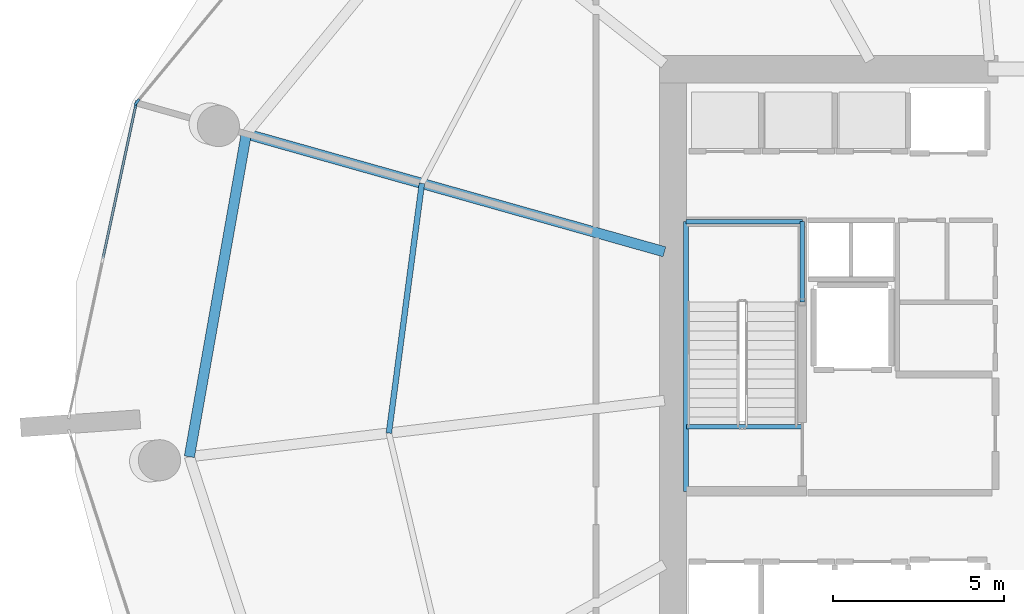
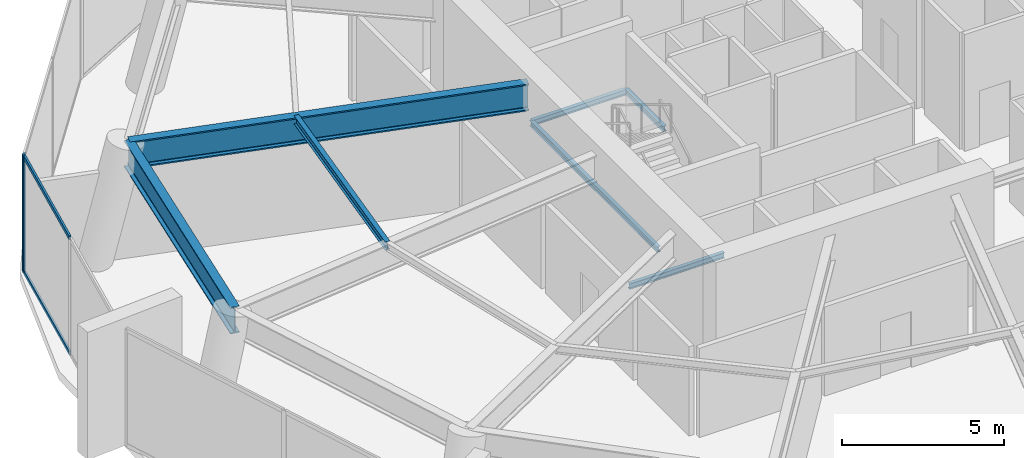
# One storey, part 6 of 16: 7 beams, 4 members, 2 elements without a shape of their own.
"""IFC4 building model written with IfcOpenShell, lengths in metres."""

from ifc_helpers import new_model, si_unit, direction, frame, origin, origin_2d, place, context, subcontext, project, spatial, rectangle, i_section, extrude, material, layer, layer_set, material_profile, profile_set, type_object, element, aggregate, save


model = new_model("IFC4")

# Units and contexts
model_context = context("Model", 3, precision=1e-05, world=origin(), true_north=direction((0.0, 1.0)))
body_context = subcontext(model_context, "Body", "Model", "MODEL_VIEW")
ifc_project = project(units=[si_unit("LENGTHUNIT", "METRE"), si_unit("AREAUNIT", "SQUARE_METRE"), si_unit("VOLUMEUNIT", "CUBIC_METRE"), si_unit("PLANEANGLEUNIT", "RADIAN"), si_unit("MASSUNIT", "GRAM", prefix="KILO")], contexts=[model_context])

# Site, building, storey
site_placement = place(None, origin())
site = spatial("IfcSite", under=ifc_project, at=site_placement, CompositionType="ELEMENT")
building_placement = place(site_placement, origin())
building = spatial("IfcBuilding", under=site, at=building_placement, Name="Kazma Halo Residences", CompositionType="ELEMENT")
storey_placement = place(building_placement, frame((0.0, 0.0, 123.0)))
storey = spatial("IfcBuildingStorey", under=building, at=storey_placement, Name="L30", CompositionType="ELEMENT", Elevation=123.0)

# Beams
ifc_material_1 = material(Name="Steel S355", Category="steel")
ifc_material_profile_1 = material_profile(ifc_material_1, i_section(OverallWidth=0.1650390625, OverallDepth=0.31005859375, WebThickness=0.005859375, FlangeThickness=0.009765625, FilletRadius=0.011962890625, at=origin_2d()), Name="W310x38.7")
ifc_profile_set_1 = profile_set([ifc_material_profile_1], Name="Steel S355")
beam_type_1 = type_object("IfcBeamType", Name="BM-SEC-W310B", PredefinedType="JOIST", material=ifc_profile_set_1)
beam_1_placement = place(storey_placement, frame((30.0625, 47.058837890625, 4.2451171875), z_axis=(-0.131098927166, -0.99136929108, 0.0), x_axis=(0.99136929108, -0.131098927166, 0.0)))
element("IfcBeam", 1, at=beam_1_placement, inside=storey, type_object=beam_type_1, Name="L30 circumferential floor joist 07", PredefinedType="JOIST", context=body_context, shape_type="SweptSolid", body=[
    extrude(i_section(OverallWidth=0.1650390625, OverallDepth=0.31005859375, WebThickness=0.005859375, FlangeThickness=0.009765625, FilletRadius=0.011962890625, at=origin_2d()), origin(), (0.0, 0.0, 1.0), 7.359619140625),
])
ifc_material_profile_2 = material_profile(ifc_material_1, i_section(OverallWidth=0.302001953125, OverallDepth=1.01806640625, WebThickness=0.021484375, FlangeThickness=0.049072265625, FilletRadius=0.028076171875, at=origin_2d()), Name="W1000x443")
ifc_profile_set_2 = profile_set([ifc_material_profile_2], Name="Steel S355")
beam_type_2 = type_object("IfcBeamType", Name="BM-TRANS-W1000A", PredefinedType="BEAM", material=ifc_profile_set_2)
beam_2_placement = place(storey_placement, frame((37.14990234375, 45.06005859375, 3.89111328125), z_axis=(-0.962455859034, 0.271438242351, 0.0), x_axis=(-0.271438242351, -0.962455859034, 0.0)))
element("IfcBeam", 2, at=beam_2_placement, inside=storey, type_object=beam_type_2, Name="L30 podium radial transfer girder 07", PredefinedType="BEAM", context=body_context, shape_type="SweptSolid", body=[
    extrude(i_section(OverallWidth=0.302001953125, OverallDepth=1.01806640625, WebThickness=0.021484375, FlangeThickness=0.049072265625, FilletRadius=0.028076171875, at=origin_2d()), origin(), (0.0, 0.0, 1.0), 12.6962890625),
])
ifc_material_profile_3 = material_profile(ifc_material_1, i_section(OverallWidth=0.300048828125, OverallDepth=1.0, WebThickness=0.01904296875, FlangeThickness=0.0400390625, FilletRadius=0.02587890625, at=origin_2d()), Name="W1000x371")
ifc_profile_set_3 = profile_set([ifc_material_profile_3], Name="Steel S355")
beam_type_3 = type_object("IfcBeamType", Name="BM-TRANS-W1000B", PredefinedType="BEAM", material=ifc_profile_set_3)
beam_3_placement = place(storey_placement, frame((24.93017578125, 48.50634765625, 3.89990234375), z_axis=(-0.173637033425, -0.984809717978, 0.0), x_axis=(0.984809717978, -0.173637033425, 0.0)))
element("IfcBeam", 3, at=beam_3_placement, inside=storey, type_object=beam_type_3, Name="L30 perimeter ring beam 07", PredefinedType="BEAM", context=body_context, shape_type="SweptSolid", body=[
    extrude(i_section(OverallWidth=0.300048828125, OverallDepth=1.0, WebThickness=0.01904296875, FlangeThickness=0.0400390625, FilletRadius=0.02587890625, at=origin_2d()), origin(), (0.0, 0.0, 1.0), 9.579345703125),
])
ifc_material_profile_4 = material_profile(ifc_material_1, i_section(OverallWidth=0.133056640625, OverallDepth=0.20703125, WebThickness=0.005859375, FlangeThickness=0.00830078125, FilletRadius=0.010009765625, at=origin_2d()), Name="W200x26.6")
ifc_profile_set_4 = profile_set([ifc_material_profile_4], Name="Steel S355")
beam_type_4 = type_object("IfcBeamType", Name="BM-TRIM-W200", PredefinedType="BEAM", material=ifc_profile_set_4)
beam_4_placement = place(storey_placement, frame((37.800048828125, 39.949951171875, -0.429931640625), z_axis=(1.0, 0.0, 0.0), x_axis=(0.0, 1.0, 0.0)))
element("IfcBeam", 4, at=beam_4_placement, inside=storey, type_object=beam_type_4, Name="L30 ST-01 floor landing support beam", PredefinedType="BEAM", context=body_context, shape_type="SweptSolid", body=[
    extrude(i_section(OverallWidth=0.133056640625, OverallDepth=0.20703125, WebThickness=0.005859375, FlangeThickness=0.00830078125, FilletRadius=0.010009765625, at=origin_2d()), origin(), (0.0, 0.0, 1.0), 3.3798828125),
])
beam_5_placement = place(storey_placement, frame((37.780029296875, 38.06005859375, 2.094970703125), z_axis=(0.0, 1.0, 0.0), x_axis=(-1.0, 0.0, 0.0)))
element("IfcBeam", 5, at=beam_5_placement, inside=storey, type_object=beam_type_4, Name="L30 ST-01 landing west wall ledger", PredefinedType="BEAM", context=body_context, shape_type="SweptSolid", body=[
    extrude(i_section(OverallWidth=0.133056640625, OverallDepth=0.20703125, WebThickness=0.005859375, FlangeThickness=0.00830078125, FilletRadius=0.010009765625, at=origin_2d()), origin(), (0.0, 0.0, 1.0), 7.8798828125),
])
beam_6_placement = place(storey_placement, frame((41.179931640625, 43.590087890625, 2.094970703125), z_axis=(0.0, 1.0, 0.0), x_axis=(-1.0, 0.0, 0.0)))
element("IfcBeam", 6, at=beam_6_placement, inside=storey, type_object=beam_type_4, Name="L30 ST-01 landing east wall ledger", PredefinedType="BEAM", context=body_context, shape_type="SweptSolid", body=[
    extrude(i_section(OverallWidth=0.133056640625, OverallDepth=0.20703125, WebThickness=0.005859375, FlangeThickness=0.00830078125, FilletRadius=0.010009765625, at=origin_2d()), origin(), (0.0, 0.0, 1.0), 2.349853515625),
])
beam_7_placement = place(storey_placement, frame((37.780029296875, 45.93994140625, 2.094970703125), z_axis=(1.0, 0.0, 0.0), x_axis=(0.0, 1.0, 0.0)))
element("IfcBeam", 7, at=beam_7_placement, inside=storey, type_object=beam_type_4, Name="L30 ST-01 landing end wall ledger", PredefinedType="BEAM", context=body_context, shape_type="SweptSolid", body=[
    extrude(i_section(OverallWidth=0.133056640625, OverallDepth=0.20703125, WebThickness=0.005859375, FlangeThickness=0.00830078125, FilletRadius=0.010009765625, at=origin_2d()), origin(), (0.0, 0.0, 1.0), 3.39990234375),
])

# Curtain wall, member
ifc_material_2 = material(Name="Aluminium AW-6063 T6 and Triple-Silver Low-E Glass", Category="aluminium")
ifc_layer = layer(ifc_material_2, 0.199951171875)
ifc_layer_set = layer_set([ifc_layer], Name="Aluminium AW-6063 T6 and Triple-Silver Low-E Glass")
curtain_wall_type = type_object("IfcCurtainWallType", Name="CW-SYS-3", PredefinedType="NOTDEFINED", material=ifc_layer_set)
curtain_wall_1_placement = place(storey_placement, origin())
curtain_wall_1 = element("IfcCurtainWall", 8, at=curtain_wall_1_placement, inside=storey, type_object=curtain_wall_type, Name="L30 unitised curtain wall B06", PredefinedType="NOTDEFINED")
ifc_material_3 = material(Name="Aluminium AW-6063 T6", Category="aluminium")
ifc_material_profile_5 = material_profile(ifc_material_3, rectangle(XDim=0.070068359375, YDim=0.199951171875, at=origin_2d()), Name="CWM-70x200")
ifc_profile_set_5 = profile_set([ifc_material_profile_5], Name="Aluminium AW-6063 T6")
member_type_1 = type_object("IfcMemberType", Name="CW-SYS-3-MUL", PredefinedType="MULLION", material=ifc_profile_set_5)
member_1_placement = place(storey_placement, frame((21.73828125, 49.439697265625, 0.0), z_axis=(0.0, 0.0, 1.0), x_axis=(0.771065486446, -0.636755852437, 0.0)))
member_1 = element("IfcMember", 9, at=member_1_placement, type_object=member_type_1, Name="CWS-3 mullion 3", PredefinedType="MULLION", context=body_context, shape_type="SweptSolid", body=[
    extrude(rectangle(XDim=0.070068359375, YDim=0.199951171875, at=origin_2d()), origin(), (0.0, 0.0, 1.0), 4.39990234375),
])
aggregate(curtain_wall_1, [member_1])

# Curtain wall, members
curtain_wall_2_placement = place(storey_placement, origin())
curtain_wall_2 = element("IfcCurtainWall", 10, at=curtain_wall_2_placement, inside=storey, type_object=curtain_wall_type, Name="L30 unitised curtain wall B07", PredefinedType="NOTDEFINED")
member_2_placement = place(storey_placement, frame((21.708740234375, 49.378662109375, 0.0), z_axis=(0.0, 0.0, 1.0), x_axis=(0.977769929816, -0.209680624634, 0.0)))
member_2 = element("IfcMember", 11, at=member_2_placement, type_object=member_type_1, Name="CWS-3 mullion 1", PredefinedType="MULLION", context=body_context, shape_type="SweptSolid", body=[
    extrude(rectangle(XDim=0.070068359375, YDim=0.199951171875, at=origin_2d()), origin(), (0.0, 0.0, 1.0), 4.39990234375),
])
ifc_material_profile_6 = material_profile(ifc_material_3, rectangle(XDim=0.070068359375, YDim=0.14990234375, at=origin_2d()), Name="CWT-70x150")
ifc_profile_set_6 = profile_set([ifc_material_profile_6], Name="Aluminium AW-6063 T6")
member_type_2 = type_object("IfcMemberType", Name="CW-SYS-3-TRN", PredefinedType="USERDEFINED", material=ifc_profile_set_6)
member_3_placement = place(storey_placement, frame((21.701416015625, 49.34423828125, 0.034912109375), z_axis=(-0.209674644163, -0.977771212296, 0.0), x_axis=(0.977771212296, -0.209674644163, 0.0)))
member_3 = element("IfcMember", 12, at=member_3_placement, type_object=member_type_2, Name="CWS-3 transom 1.1", ObjectType="TRANSOM", PredefinedType="USERDEFINED", context=body_context, shape_type="SweptSolid", body=[
    extrude(rectangle(XDim=0.070068359375, YDim=0.14990234375, at=origin_2d()), origin(), (0.0, 0.0, 1.0), 4.581787109375),
])
member_4_placement = place(storey_placement, frame((21.701416015625, 49.34423828125, 4.364990234375), z_axis=(-0.209674644163, -0.977771212296, 0.0), x_axis=(0.977771212296, -0.209674644163, 0.0)))
member_4 = element("IfcMember", 13, at=member_4_placement, type_object=member_type_2, Name="CWS-3 transom 1.2", ObjectType="TRANSOM", PredefinedType="USERDEFINED", context=body_context, shape_type="SweptSolid", body=[
    extrude(rectangle(XDim=0.070068359375, YDim=0.14990234375, at=origin_2d()), origin(), (0.0, 0.0, 1.0), 4.581787109375),
])
aggregate(curtain_wall_2, [member_2, member_3, member_4])

save(model, "model.ifc")
